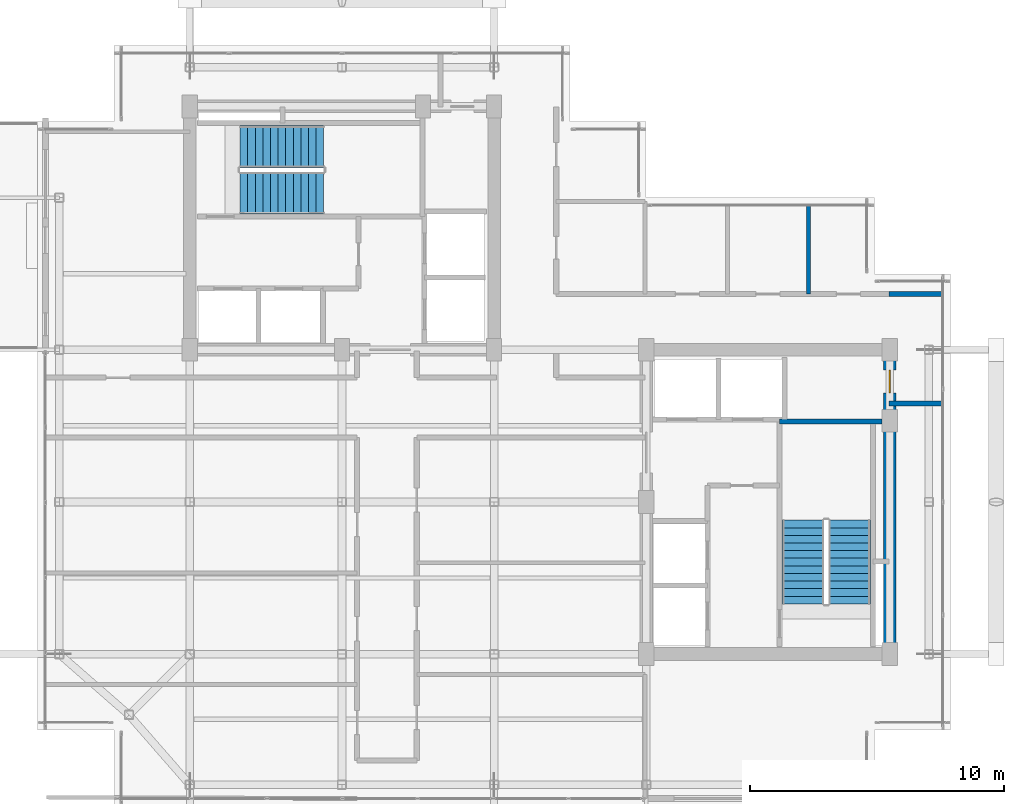
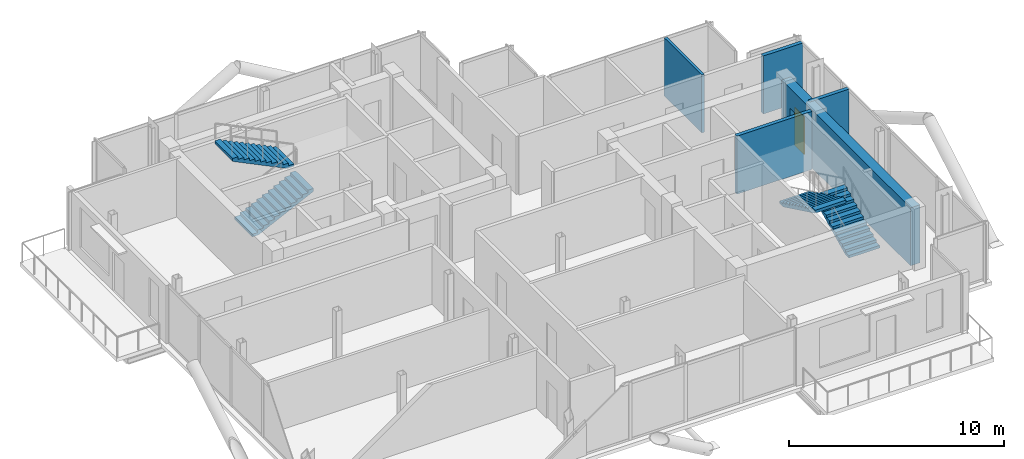
# One storey, part 17 of 19: 5 walls, 4 stair flights, 1 door, 1 opening, 2 elements without a shape of their own.
"""IFC4 building model written with IfcOpenShell, lengths in metres."""

from ifc_helpers import new_model, si_unit, direction, frame, frame_2d, origin, place, context, subcontext, project, spatial, polyline, rectangle, outline, extrude, material, layer, layer_set, type_object, element, fill, aggregate, save


model = new_model("IFC4")

# Units and contexts
model_context = context("Model", 3, precision=1e-05, world=origin(), true_north=direction((0.0, 1.0)))
body_context = subcontext(model_context, "Body", "Model", "MODEL_VIEW")
ifc_project = project(units=[si_unit("LENGTHUNIT", "METRE"), si_unit("AREAUNIT", "SQUARE_METRE"), si_unit("VOLUMEUNIT", "CUBIC_METRE"), si_unit("PLANEANGLEUNIT", "RADIAN"), si_unit("MASSUNIT", "GRAM", prefix="KILO"), si_unit("THERMODYNAMICTEMPERATUREUNIT", "KELVIN"), si_unit("POWERUNIT", "WATT")], contexts=[model_context])

# Site, building, storey
site_placement = place(None, origin())
site = spatial("IfcSite", under=ifc_project, at=site_placement, CompositionType="ELEMENT")
building_placement = place(site_placement, origin())
building = spatial("IfcBuilding", under=site, at=building_placement, Name="Svarakhadi Broadcast Tower", CompositionType="ELEMENT")
storey_placement = place(building_placement, frame((0.0, 0.0, 271.199951171875)))
storey = spatial("IfcBuildingStorey", under=building, at=storey_placement, Name="L68", CompositionType="ELEMENT", Elevation=271.199951171875)

# Walls
ifc_material_1 = material(Name="Double-Stud Acoustic Studio Partition STC-62", Category="gypsum")
ifc_layer_1 = layer(ifc_material_1, 0.199951171875)
ifc_layer_set_1 = layer_set([ifc_layer_1], Name="Double-Stud Acoustic Studio Partition STC-62")
wall_type_1 = type_object("IfcWallType", Name="Wall_Acoust_200", PredefinedType="PARTITIONING", material=ifc_layer_set_1)
for number, where, z_axis, x_axis, name in (
    (1, (33.580078125, 20.199951171875, 0.0), (0.0, 0.0, 1.0), (1.0, 0.0, 0.0), "L68 Upper Tower Concourse Wall"),
    (2, (35.699951171875, 15.8798828125, 0.0), (0.0, 0.0, 1.0), (-1.0, 0.0, 0.0), "L68 Upper Tower Concourse Wall"),
):
    element("IfcWall", number, at=place(storey_placement, frame(where, z_axis=z_axis, x_axis=x_axis)), inside=storey, type_object=wall_type_1, Name=name, PredefinedType="PARTITIONING", context=body_context, shape_type="SweptSolid", body=[
        extrude(rectangle(XDim=2.119873046875, YDim=0.199951171875, at=frame_2d((1.06005859375, 0.0))), origin(), (0.0, 0.0, 1.0), 3.300048828125),
    ])
ifc_material_2 = material(Name="Autoclaved Aerated Concrete Blockwork 150 mm", Category="masonry")
ifc_layer_2 = layer(ifc_material_2, 0.14990234375)
ifc_layer_set_2 = layer_set([ifc_layer_2], Name="Autoclaved Aerated Concrete Blockwork 150 mm")
wall_type_2 = type_object("IfcWallType", Name="Wall_Part_150", PredefinedType="PARTITIONING", material=ifc_layer_set_2)
wall_1_placement = place(storey_placement, frame((30.39990234375, 20.199951171875, 0.0), z_axis=(0.0, 0.0, 1.0), x_axis=(0.0, 1.0, 0.0)))
element("IfcWall", 3, at=wall_1_placement, inside=storey, type_object=wall_type_2, Name="L68 Private Sommelier Tasting Pantry Wall", PredefinedType="PARTITIONING", context=body_context, shape_type="SweptSolid", body=[
    extrude(rectangle(XDim=3.5, YDim=0.14990234375, at=frame_2d((1.75, 0.0))), origin(), (0.0, 0.0, 1.0), 3.300048828125),
])
ifc_material_3 = material(Name="Concrete C50/60 (IS 456 M60)", Category="concrete")
ifc_layer_3 = layer(ifc_material_3, 0.199951171875)
ifc_layer_set_3 = layer_set([ifc_layer_3], Name="Concrete C50/60 (IS 456 M60)")
wall_type_3 = type_object("IfcWallType", Name="Wall_Shear_200", PredefinedType="SHEAR", material=ifc_layer_set_3)
wall_2_placement = place(storey_placement, frame((29.260009765625, 15.179931640625, 0.0), z_axis=(0.0, 0.0, 1.0), x_axis=(1.0, 0.0, 0.0)))
element("IfcWall", 4, at=wall_2_placement, inside=storey, type_object=wall_type_3, Name="L68 Stair ST-02 North RC Shaft Wall", PredefinedType="SHEAR", context=body_context, shape_type="SweptSolid", body=[
    extrude(rectangle(XDim=4.0400390625, YDim=0.199951171875, at=frame_2d((2.02001953125, 0.0))), origin(), (0.0, 0.0, 1.0), 3.300048828125),
])

# Wall, opening, door
ifc_layer_4 = layer(ifc_material_3, 0.5)
ifc_layer_set_4 = layer_set([ifc_layer_4], Name="Concrete C50/60 (IS 456 M60)")
wall_type_4 = type_object("IfcWallType", Name="Wall_Shear_500", PredefinedType="SHEAR", material=ifc_layer_set_4)
wall_3_placement = place(storey_placement, frame((33.60009765625, 6.0, 0.0), z_axis=(0.0, 0.0, 1.0), x_axis=(0.0, 1.0, 0.0)))
wall_3 = element("IfcWall", 5, at=wall_3_placement, inside=storey, type_object=wall_type_4, Name="L68 East Core East Shear Wall", PredefinedType="SHEAR", context=body_context, shape_type="SweptSolid", body=[
    extrude(rectangle(XDim=12.0, YDim=0.5, at=frame_2d((6.0, 0.0))), origin(), (0.0, 0.0, 1.0), 3.300048828125),
])
opening_placement = place(wall_3_placement, frame((10.300048828125, 0.0, 0.0)))
opening = element("IfcOpeningElement", 6, at=opening_placement, cuts=wall_3, Name="Opening D-03", PredefinedType="OPENING", context=body_context, shape_type="SweptSolid", body=[
    extrude(rectangle(XDim=0.89990234375, YDim=2.14990234375, at=frame_2d((0.449951171875, 1.074951171875))), frame((0.0, 0.260009765625, 0.0), z_axis=(0.0, -1.0, 0.0), x_axis=(1.0, 0.0, 0.0)), (0.0, 0.0, 1.0), 0.52001953125),
])
ifc_material_4 = material(Name="Galvanised Powder-Coated Fire-Rated Steel Leaf", Category="steel")
door_type = type_object("IfcDoorType", Name="Door_Fire_D03", OperationType="SINGLE_SWING_LEFT", PredefinedType="DOOR", material=ifc_material_4)
door_placement = place(opening_placement, origin())
door = element("IfcDoor", 7, at=door_placement, inside=storey, type_object=door_type, Name="L68 Core Service Room East Door", OperationType="SINGLE_SWING_LEFT", OverallHeight=2.14990234375, OverallWidth=0.89990234375, PredefinedType="DOOR", context=body_context, shape_type="SweptSolid", body=[
    extrude(rectangle(XDim=0.89990234375, YDim=2.14990234375, at=frame_2d((0.449951171875, 1.074951171875))), frame((0.0, 0.02490234375, 0.0), z_axis=(0.0, -1.0, 0.0), x_axis=(1.0, 0.0, 0.0)), (0.0, 0.0, 1.0), 0.050048828125),
])
fill(opening, door)

# Stair, stair flights
ifc_material_5 = material(Name="Concrete C40/50 (IS 456 M50)", Category="concrete")
stair_type = type_object("IfcStairType", Name="Stair_Exit_Core", PredefinedType="HALF_TURN_STAIR", material=ifc_material_5)
stair_1_placement = place(storey_placement, origin())
stair_1 = element("IfcStair", 8, at=stair_1_placement, inside=storey, type_object=stair_type, Name="L68 West Core Protected Exit Stair ST-01", PredefinedType="HALF_TURN_STAIR")
stair_flight_type = type_object("IfcStairFlightType", Name="Flight_RC_1680", PredefinedType="STRAIGHT", material=ifc_material_5)
stair_flight_1_placement = place(storey_placement, frame((7.97998046875, 24.18994140625, 0.0), z_axis=(0.0, 0.0, 1.0), x_axis=(1.0, 0.0, 0.0)))
stair_flight_1 = element("IfcStairFlight", 9, at=stair_flight_1_placement, type_object=stair_flight_type, Name="ST-01 flight 1", NumberOfRisers=12, NumberOfTreads=11, PredefinedType="STRAIGHT", RiserHeight=0.145833333, TreadLength=0.3, context=body_context, shape_type="SweptSolid", body=[
    extrude(outline(polyline([(0.0, 0.0), (0.0, 0.145751953125), (0.300048828125, 0.145751953125), (0.300048828125, 0.291748046875), (0.60009765625, 0.291748046875), (0.60009765625, 0.4375), (0.89990234375, 0.4375), (0.89990234375, 0.583251953125), (1.199951171875, 0.583251953125), (1.199951171875, 0.729248046875), (1.5, 0.729248046875), (1.5, 0.875), (1.800048828125, 0.875), (1.800048828125, 1.020751953125), (2.10009765625, 1.020751953125), (2.10009765625, 1.166748046875), (2.39990234375, 1.166748046875), (2.39990234375, 1.3125), (2.699951171875, 1.3125), (2.699951171875, 1.458251953125), (3.0, 1.458251953125), (3.0, 1.604248046875), (3.300048828125, 1.604248046875), (3.300048828125, 1.75), (3.300048828125, 1.4375), (0.3427734375, 0.0), (0.0, 0.0)])), frame((0.0, 0.830078125, 0.0), z_axis=(0.0, -1.0, 0.0), x_axis=(1.0, 0.0, 0.0)), (0.0, 0.0, 1.0), 1.659912109375),
])
stair_flight_2_placement = place(storey_placement, frame((11.280029296875, 26.010009765625, 1.75), z_axis=(0.0, 0.0, 1.0), x_axis=(-1.0, 0.0, 0.0)))
stair_flight_2 = element("IfcStairFlight", 10, at=stair_flight_2_placement, type_object=stair_flight_type, Name="ST-01 flight 2", NumberOfRisers=12, NumberOfTreads=11, PredefinedType="STRAIGHT", RiserHeight=0.145833333, TreadLength=0.3, context=body_context, shape_type="SweptSolid", body=[
    extrude(outline(polyline([(0.0, 0.0), (0.0, 0.145751953125), (0.300048828125, 0.145751953125), (0.300048828125, 0.291748046875), (0.60009765625, 0.291748046875), (0.60009765625, 0.4375), (0.89990234375, 0.4375), (0.89990234375, 0.583251953125), (1.199951171875, 0.583251953125), (1.199951171875, 0.729248046875), (1.5, 0.729248046875), (1.5, 0.875), (1.800048828125, 0.875), (1.800048828125, 1.020751953125), (2.10009765625, 1.020751953125), (2.10009765625, 1.166748046875), (2.39990234375, 1.166748046875), (2.39990234375, 1.3125), (2.699951171875, 1.3125), (2.699951171875, 1.458251953125), (3.0, 1.458251953125), (3.0, 1.604248046875), (3.300048828125, 1.604248046875), (3.300048828125, 1.75), (3.300048828125, 1.4375), (0.3427734375, 0.0), (0.0, 0.0)])), frame((0.0, 0.830078125, 0.0), z_axis=(0.0, -1.0, 0.0), x_axis=(1.0, 0.0, 0.0)), (0.0, 0.0, 1.0), 1.659912109375),
])
aggregate(stair_1, [stair_flight_1, stair_flight_2])

stair_2_placement = place(storey_placement, origin())
stair_2 = element("IfcStair", 11, at=stair_2_placement, inside=storey, type_object=stair_type, Name="L68 East Core Protected Exit Stair ST-02", PredefinedType="HALF_TURN_STAIR")
stair_flight_3_placement = place(storey_placement, frame((32.010009765625, 7.97998046875, 0.0), z_axis=(0.0, 0.0, 1.0), x_axis=(0.0, 1.0, 0.0)))
stair_flight_3 = element("IfcStairFlight", 12, at=stair_flight_3_placement, type_object=stair_flight_type, Name="ST-02 flight 1", NumberOfRisers=12, NumberOfTreads=11, PredefinedType="STRAIGHT", RiserHeight=0.145833333, TreadLength=0.3, context=body_context, shape_type="SweptSolid", body=[
    extrude(outline(polyline([(0.0, 0.0), (0.0, 0.145751953125), (0.300048828125, 0.145751953125), (0.300048828125, 0.291748046875), (0.60009765625, 0.291748046875), (0.60009765625, 0.4375), (0.89990234375, 0.4375), (0.89990234375, 0.583251953125), (1.199951171875, 0.583251953125), (1.199951171875, 0.729248046875), (1.5, 0.729248046875), (1.5, 0.875), (1.800048828125, 0.875), (1.800048828125, 1.020751953125), (2.10009765625, 1.020751953125), (2.10009765625, 1.166748046875), (2.39990234375, 1.166748046875), (2.39990234375, 1.3125), (2.699951171875, 1.3125), (2.699951171875, 1.458251953125), (3.0, 1.458251953125), (3.0, 1.604248046875), (3.300048828125, 1.604248046875), (3.300048828125, 1.75), (3.300048828125, 1.4375), (0.3427734375, 0.0), (0.0, 0.0)])), frame((0.0, 0.830078125, 0.0), z_axis=(0.0, -1.0, 0.0), x_axis=(1.0, 0.0, 0.0)), (0.0, 0.0, 1.0), 1.659912109375),
])
stair_flight_4_placement = place(storey_placement, frame((30.18994140625, 11.280029296875, 1.75), z_axis=(0.0, 0.0, 1.0), x_axis=(0.0, -1.0, 0.0)))
stair_flight_4 = element("IfcStairFlight", 13, at=stair_flight_4_placement, type_object=stair_flight_type, Name="ST-02 flight 2", NumberOfRisers=12, NumberOfTreads=11, PredefinedType="STRAIGHT", RiserHeight=0.145833333, TreadLength=0.3, context=body_context, shape_type="SweptSolid", body=[
    extrude(outline(polyline([(0.0, 0.0), (0.0, 0.145751953125), (0.300048828125, 0.145751953125), (0.300048828125, 0.291748046875), (0.60009765625, 0.291748046875), (0.60009765625, 0.4375), (0.89990234375, 0.4375), (0.89990234375, 0.583251953125), (1.199951171875, 0.583251953125), (1.199951171875, 0.729248046875), (1.5, 0.729248046875), (1.5, 0.875), (1.800048828125, 0.875), (1.800048828125, 1.020751953125), (2.10009765625, 1.020751953125), (2.10009765625, 1.166748046875), (2.39990234375, 1.166748046875), (2.39990234375, 1.3125), (2.699951171875, 1.3125), (2.699951171875, 1.458251953125), (3.0, 1.458251953125), (3.0, 1.604248046875), (3.300048828125, 1.604248046875), (3.300048828125, 1.75), (3.300048828125, 1.4375), (0.3427734375, 0.0), (0.0, 0.0)])), frame((0.0, 0.830078125, 0.0), z_axis=(0.0, -1.0, 0.0), x_axis=(1.0, 0.0, 0.0)), (0.0, 0.0, 1.0), 1.659912109375),
])
aggregate(stair_2, [stair_flight_3, stair_flight_4])

save(model, "model.ifc")
